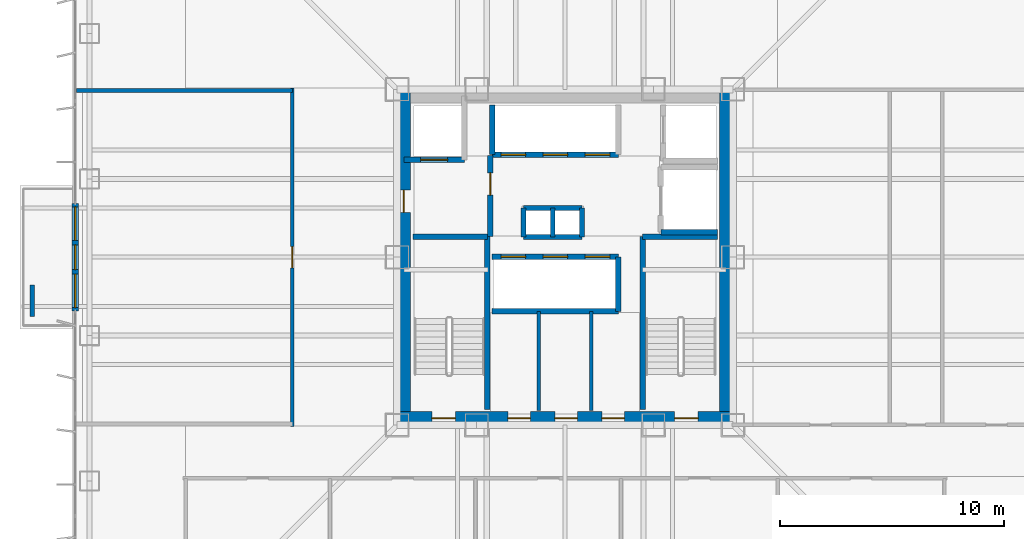
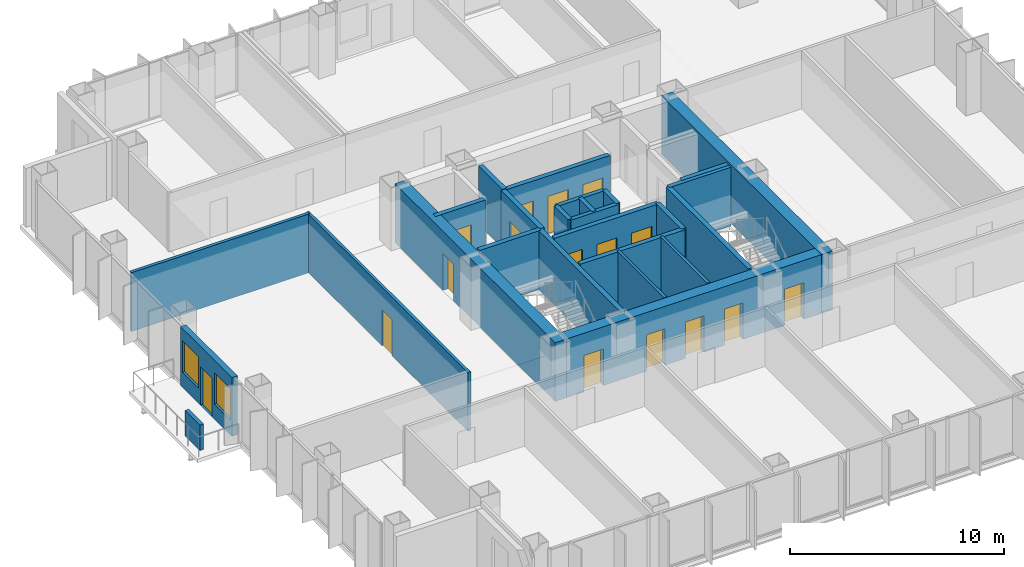
# One storey, part 10 of 15: 26 walls, 16 doors, 2 windows, 18 openings.
"""IFC4 building model written with IfcOpenShell, lengths in metres."""

from ifc_helpers import new_model, si_unit, direction, frame, frame_2d, origin, place, context, subcontext, project, spatial, rectangle, extrude, material, layer, layer_set, type_object, element, fill, save


model = new_model("IFC4")

# Units and contexts
model_context = context("Model", 3, precision=1e-05, world=origin(), true_north=direction((0.0, 1.0)))
body_context = subcontext(model_context, "Body", "Model", "MODEL_VIEW")
ifc_project = project(units=[si_unit("LENGTHUNIT", "METRE"), si_unit("AREAUNIT", "SQUARE_METRE"), si_unit("VOLUMEUNIT", "CUBIC_METRE"), si_unit("PLANEANGLEUNIT", "RADIAN"), si_unit("MASSUNIT", "GRAM", prefix="KILO")], contexts=[model_context])

# Site, building, storey
site_placement = place(None, origin())
site = spatial("IfcSite", under=ifc_project, at=site_placement, CompositionType="ELEMENT")
building_placement = place(site_placement, origin())
building = spatial("IfcBuilding", under=site, at=building_placement, Name="Trevonay Congress Spire", CompositionType="ELEMENT")
storey_placement = place(building_placement, frame((0.0, 0.0, 115.60009765625)))
storey = spatial("IfcBuildingStorey", under=building, at=storey_placement, Name="L29", CompositionType="ELEMENT", Elevation=115.60009765625)

# Wall, openings, doors
ifc_material_1 = material(Name="Concrete C60/75", Category="concrete")
ifc_layer_1 = layer(ifc_material_1, 0.60009765625, Name="Concrete C60/75")
ifc_layer_set_1 = layer_set([ifc_layer_1], Name="Concrete C60/75")
wall_type_1 = type_object("IfcWallType", Name="WAL-CORE-600", PredefinedType="SHEAR", material=ifc_layer_set_1)
wall_1_placement = place(storey_placement, frame((-7.5, -7.199951171875, 0.0), z_axis=(0.0, 0.0, 1.0), x_axis=(1.0, 0.0, 0.0)))
wall_1 = element("IfcWall", 1, at=wall_1_placement, inside=storey, type_object=wall_type_1, Name="L29 South structural core shear wall", PredefinedType="SHEAR", context=body_context, shape_type="SweptSolid", body=[
    extrude(rectangle(XDim=15.0, YDim=0.60009765625, at=frame_2d((7.5, 0.0))), origin(), (0.0, 0.0, 1.0), 3.35986328125),
])
opening_1_placement = place(wall_1_placement, frame((1.550048828125, 0.0, 0.0)))
opening_1 = element("IfcOpeningElement", 2, at=opening_1_placement, cuts=wall_1, Name="Opening D05", PredefinedType="OPENING", context=body_context, shape_type="SweptSolid", body=[
    extrude(rectangle(XDim=1.050048828125, YDim=2.080078125, at=frame_2d((0.52490234375, 1.0400390625))), frame((0.0, 0.31005859375, 0.0), z_axis=(0.0, -1.0, 0.0), x_axis=(1.0, 0.0, 0.0)), (0.0, 0.0, 1.0), 0.6201171875),
])
opening_2_placement = place(wall_1_placement, frame((12.39990234375, 0.0, 0.0)))
opening_2 = element("IfcOpeningElement", 3, at=opening_2_placement, cuts=wall_1, Name="Opening D05", PredefinedType="OPENING", context=body_context, shape_type="SweptSolid", body=[
    extrude(rectangle(XDim=1.050048828125, YDim=2.080078125, at=frame_2d((0.52490234375, 1.0400390625))), frame((0.0, 0.31005859375, 0.0), z_axis=(0.0, -1.0, 0.0), x_axis=(1.0, 0.0, 0.0)), (0.0, 0.0, 1.0), 0.6201171875),
])
opening_3_placement = place(wall_1_placement, frame((4.949951171875, 0.0, 0.0)))
opening_3 = element("IfcOpeningElement", 4, at=opening_3_placement, cuts=wall_1, Name="Opening D06", PredefinedType="OPENING", context=body_context, shape_type="SweptSolid", body=[
    extrude(rectangle(XDim=1.0, YDim=2.080078125, at=frame_2d((0.5, 1.0400390625))), frame((0.0, 0.31005859375, 0.0), z_axis=(0.0, -1.0, 0.0), x_axis=(1.0, 0.0, 0.0)), (0.0, 0.0, 1.0), 0.6201171875),
])
opening_4_placement = place(wall_1_placement, frame((7.050048828125, 0.0, 0.0)))
opening_4 = element("IfcOpeningElement", 5, at=opening_4_placement, cuts=wall_1, Name="Opening D06", PredefinedType="OPENING", context=body_context, shape_type="SweptSolid", body=[
    extrude(rectangle(XDim=1.0, YDim=2.080078125, at=frame_2d((0.5, 1.0400390625))), frame((0.0, 0.31005859375, 0.0), z_axis=(0.0, -1.0, 0.0), x_axis=(1.0, 0.0, 0.0)), (0.0, 0.0, 1.0), 0.6201171875),
])
opening_5_placement = place(wall_1_placement, frame((9.14990234375, 0.0, 0.0)))
opening_5 = element("IfcOpeningElement", 6, at=opening_5_placement, cuts=wall_1, Name="Opening D06", PredefinedType="OPENING", context=body_context, shape_type="SweptSolid", body=[
    extrude(rectangle(XDim=1.0, YDim=2.080078125, at=frame_2d((0.5, 1.0400390625))), frame((0.0, 0.31005859375, 0.0), z_axis=(0.0, -1.0, 0.0), x_axis=(1.0, 0.0, 0.0)), (0.0, 0.0, 1.0), 0.6201171875),
])
ifc_material_2 = material(Name="Steel ASTM A572 Grade 50", Category="steel")
door_type_1 = type_object("IfcDoorType", Name="DOR-FIRE-100", OperationType="NOTDEFINED", PredefinedType="DOOR", material=ifc_material_2)
door_1_placement = place(opening_3_placement, origin())
door_1 = element("IfcDoor", 7, at=door_1_placement, inside=storey, type_object=door_type_1, Name="L29 South Core Room 1 Door", OperationType="SINGLE_SWING_RIGHT", OverallHeight=2.080078125, OverallWidth=1.0, PredefinedType="DOOR", context=body_context, shape_type="SweptSolid", body=[
    extrude(rectangle(XDim=1.0, YDim=2.080078125, at=frame_2d((0.5, 1.0400390625))), frame((0.0, 0.02490234375, 0.0), z_axis=(0.0, -1.0, 0.0), x_axis=(1.0, 0.0, 0.0)), (0.0, 0.0, 1.0), 0.050048828125),
])
fill(opening_3, door_1)
door_2_placement = place(opening_4_placement, origin())
door_2 = element("IfcDoor", 8, at=door_2_placement, inside=storey, type_object=door_type_1, Name="L29 South Core Room 2 Door", OperationType="SINGLE_SWING_LEFT", OverallHeight=2.080078125, OverallWidth=1.0, PredefinedType="DOOR", context=body_context, shape_type="SweptSolid", body=[
    extrude(rectangle(XDim=1.0, YDim=2.080078125, at=frame_2d((0.5, 1.0400390625))), frame((0.0, 0.02490234375, 0.0), z_axis=(0.0, -1.0, 0.0), x_axis=(1.0, 0.0, 0.0)), (0.0, 0.0, 1.0), 0.050048828125),
])
fill(opening_4, door_2)
door_3_placement = place(opening_5_placement, origin())
door_3 = element("IfcDoor", 9, at=door_3_placement, inside=storey, type_object=door_type_1, Name="L29 South Core Room 3 Door", OperationType="SINGLE_SWING_RIGHT", OverallHeight=2.080078125, OverallWidth=1.0, PredefinedType="DOOR", context=body_context, shape_type="SweptSolid", body=[
    extrude(rectangle(XDim=1.0, YDim=2.080078125, at=frame_2d((0.5, 1.0400390625))), frame((0.0, 0.02490234375, 0.0), z_axis=(0.0, -1.0, 0.0), x_axis=(1.0, 0.0, 0.0)), (0.0, 0.0, 1.0), 0.050048828125),
])
fill(opening_5, door_3)
door_type_2 = type_object("IfcDoorType", Name="DOR-STAIR-110", OperationType="NOTDEFINED", PredefinedType="DOOR", material=ifc_material_2)
door_4_placement = place(opening_1_placement, origin())
door_4 = element("IfcDoor", 10, at=door_4_placement, inside=storey, type_object=door_type_2, Name="L29 Protected Stair ST-1 Door", OperationType="SINGLE_SWING_LEFT", OverallHeight=2.080078125, OverallWidth=1.050048828125, PredefinedType="DOOR", context=body_context, shape_type="SweptSolid", body=[
    extrude(rectangle(XDim=1.050048828125, YDim=2.080078125, at=frame_2d((0.52490234375, 1.0400390625))), frame((0.0, 0.02490234375, 0.0), z_axis=(0.0, -1.0, 0.0), x_axis=(1.0, 0.0, 0.0)), (0.0, 0.0, 1.0), 0.050048828125),
])
fill(opening_1, door_4)
door_5_placement = place(opening_2_placement, origin())
door_5 = element("IfcDoor", 11, at=door_5_placement, inside=storey, type_object=door_type_2, Name="L29 Protected Stair ST-2 Door", OperationType="SINGLE_SWING_RIGHT", OverallHeight=2.080078125, OverallWidth=1.050048828125, PredefinedType="DOOR", context=body_context, shape_type="SweptSolid", body=[
    extrude(rectangle(XDim=1.050048828125, YDim=2.080078125, at=frame_2d((0.52490234375, 1.0400390625))), frame((0.0, 0.02490234375, 0.0), z_axis=(0.0, -1.0, 0.0), x_axis=(1.0, 0.0, 0.0)), (0.0, 0.0, 1.0), 0.050048828125),
])
fill(opening_2, door_5)

# Wall, opening, door
wall_2_placement = place(storey_placement, frame((-7.199951171875, -7.5, 0.0), z_axis=(0.0, 0.0, 1.0), x_axis=(0.0, 1.0, 0.0)))
wall_2 = element("IfcWall", 12, at=wall_2_placement, inside=storey, type_object=wall_type_1, Name="L29 West structural core shear wall", PredefinedType="SHEAR", context=body_context, shape_type="SweptSolid", body=[
    extrude(rectangle(XDim=15.0, YDim=0.60009765625, at=frame_2d((7.5, 0.0))), origin(), (0.0, 0.0, 1.0), 3.35986328125),
])
opening_6_placement = place(wall_2_placement, frame((9.5, 0.0, 0.0)))
opening_6 = element("IfcOpeningElement", 13, at=opening_6_placement, cuts=wall_2, Name="Opening D06", PredefinedType="OPENING", context=body_context, shape_type="SweptSolid", body=[
    extrude(rectangle(XDim=1.0, YDim=2.080078125, at=frame_2d((0.5, 1.0400390625))), frame((0.0, 0.31005859375, 0.0), z_axis=(0.0, -1.0, 0.0), x_axis=(1.0, 0.0, 0.0)), (0.0, 0.0, 1.0), 0.6201171875),
])
door_6_placement = place(opening_6_placement, origin())
door_6 = element("IfcDoor", 14, at=door_6_placement, inside=storey, type_object=door_type_1, Name="L29 Firefighting Lift Lobby West Corridor Door", OperationType="SINGLE_SWING_LEFT", OverallHeight=2.080078125, OverallWidth=1.0, PredefinedType="DOOR", context=body_context, shape_type="SweptSolid", body=[
    extrude(rectangle(XDim=1.0, YDim=2.080078125, at=frame_2d((0.5, 1.0400390625))), frame((0.0, 0.02490234375, 0.0), z_axis=(0.0, -1.0, 0.0), x_axis=(1.0, 0.0, 0.0)), (0.0, 0.0, 1.0), 0.050048828125),
])
fill(opening_6, door_6)

# Wall
wall_3_placement = place(storey_placement, frame((7.199951171875, -7.5, 0.0), z_axis=(0.0, 0.0, 1.0), x_axis=(0.0, 1.0, 0.0)))
element("IfcWall", 15, at=wall_3_placement, inside=storey, type_object=wall_type_1, Name="L29 East structural core shear wall", PredefinedType="SHEAR", context=body_context, shape_type="SweptSolid", body=[
    extrude(rectangle(XDim=15.0, YDim=0.60009765625, at=frame_2d((7.5, 0.0))), origin(), (0.0, 0.0, 1.0), 3.35986328125),
])

# Wall, opening, door
ifc_material_3 = material(Name="Concrete C40/50", Category="concrete")
ifc_layer_2 = layer(ifc_material_3, 0.14990234375, Name="Concrete C40/50")
ifc_layer_set_2 = layer_set([ifc_layer_2], Name="Concrete C40/50")
wall_type_2 = type_object("IfcWallType", Name="WAL-CORR-150", PredefinedType="PARTITIONING", material=ifc_layer_set_2)
wall_4_placement = place(storey_placement, frame((-12.179931640625, -7.570068359375, 0.0), z_axis=(0.0, 0.0, 1.0), x_axis=(0.0, 1.0, 0.0)))
wall_4 = element("IfcWall", 16, at=wall_4_placement, inside=storey, type_object=wall_type_2, Name="L29 interior wall WP-L29W-COR", PredefinedType="PARTITIONING", context=body_context, shape_type="SweptSolid", body=[
    extrude(rectangle(XDim=15.14013671875, YDim=0.14990234375, at=frame_2d((7.570068359375, 0.0))), origin(), (0.0, 0.0, 1.0), 3.35986328125),
])
opening_7_placement = place(wall_4_placement, frame((7.094970703125, 0.0, 0.0)))
opening_7 = element("IfcOpeningElement", 17, at=opening_7_placement, cuts=wall_4, Name="Opening D07", PredefinedType="OPENING", context=body_context, shape_type="SweptSolid", body=[
    extrude(rectangle(XDim=0.949951171875, YDim=2.06005859375, at=frame_2d((0.47509765625, 1.030029296875))), frame((0.0, 0.0849609375, 0.0), z_axis=(0.0, -1.0, 0.0), x_axis=(1.0, 0.0, 0.0)), (0.0, 0.0, 1.0), 0.169921875),
])
ifc_material_4 = material(Name="Pale Anodised Aluminium EN AW-6063-T6", Category="aluminium")
door_type_3 = type_object("IfcDoorType", Name="DOR-OFFICE-95", OperationType="NOTDEFINED", PredefinedType="DOOR", material=ifc_material_4)
door_7_placement = place(opening_7_placement, origin())
door_7 = element("IfcDoor", 18, at=door_7_placement, inside=storey, type_object=door_type_3, Name="L29 West Open-Plan Research Office Door", OperationType="SINGLE_SWING_LEFT", OverallHeight=2.06005859375, OverallWidth=0.949951171875, PredefinedType="DOOR", context=body_context, shape_type="SweptSolid", body=[
    extrude(rectangle(XDim=0.949951171875, YDim=2.06005859375, at=frame_2d((0.47509765625, 1.030029296875))), frame((0.0, 0.02490234375, 0.0), z_axis=(0.0, -1.0, 0.0), x_axis=(1.0, 0.0, 0.0)), (0.0, 0.0, 1.0), 0.050048828125),
])
fill(opening_7, door_7)

# Wall, openings, door, windows
ifc_material_5 = material(Name="Precast concrete C40/50", Category="concrete")
ifc_layer_3 = layer(ifc_material_5, 0.300048828125, Name="Precast concrete C40/50")
ifc_layer_set_3 = layer_set([ifc_layer_3], Name="Precast concrete C40/50")
wall_type_3 = type_object("IfcWallType", Name="WAL-EXT-PRECAST-300", PredefinedType="SOLIDWALL", material=ifc_layer_set_3)
wall_5_placement = place(storey_placement, frame((-21.8798828125, -2.39990234375, 0.0), z_axis=(0.0, 0.0, 1.0), x_axis=(0.0, 1.0, 0.0)))
wall_5 = element("IfcWall", 19, at=wall_5_placement, inside=storey, type_object=wall_type_3, Name="L29 W glazed balcony portal exterior wall", PredefinedType="SOLIDWALL", context=body_context, shape_type="SweptSolid", body=[
    extrude(rectangle(XDim=4.7998046875, YDim=0.300048828125, at=frame_2d((2.39990234375, 0.0))), origin(), (0.0, 0.0, 1.0), 3.35986328125),
])
opening_8_placement = place(wall_5_placement, frame((1.85009765625, 0.0, 0.0)))
opening_8 = element("IfcOpeningElement", 20, at=opening_8_placement, cuts=wall_5, Name="Opening D03", PredefinedType="OPENING", context=body_context, shape_type="SweptSolid", body=[
    extrude(rectangle(XDim=1.10009765625, YDim=2.199951171875, at=frame_2d((0.550048828125, 1.10009765625))), frame((0.0, 0.16015625, 0.0), z_axis=(0.0, -1.0, 0.0), x_axis=(1.0, 0.0, 0.0)), (0.0, 0.0, 1.0), 0.320068359375),
])
opening_9_placement = place(wall_5_placement, frame((0.14990234375, 0.0, 0.85009765625)))
opening_9 = element("IfcOpeningElement", 21, at=opening_9_placement, cuts=wall_5, Name="Opening WN03", PredefinedType="OPENING", context=body_context, shape_type="SweptSolid", body=[
    extrude(rectangle(XDim=1.5, YDim=1.800048828125, at=frame_2d((0.75, 0.89990234375))), frame((0.0, 0.16015625, 0.0), z_axis=(0.0, -1.0, 0.0), x_axis=(1.0, 0.0, 0.0)), (0.0, 0.0, 1.0), 0.320068359375),
])
opening_10_placement = place(wall_5_placement, frame((3.14990234375, 0.0, 0.85009765625)))
opening_10 = element("IfcOpeningElement", 22, at=opening_10_placement, cuts=wall_5, Name="Opening WN03", PredefinedType="OPENING", context=body_context, shape_type="SweptSolid", body=[
    extrude(rectangle(XDim=1.5, YDim=1.800048828125, at=frame_2d((0.75, 0.89990234375))), frame((0.0, 0.16015625, 0.0), z_axis=(0.0, -1.0, 0.0), x_axis=(1.0, 0.0, 0.0)), (0.0, 0.0, 1.0), 0.320068359375),
])
door_type_4 = type_object("IfcDoorType", Name="DOR-EXT-BAL-110", OperationType="NOTDEFINED", PredefinedType="DOOR", material=ifc_material_4)
door_8_placement = place(opening_8_placement, origin())
door_8 = element("IfcDoor", 23, at=door_8_placement, inside=storey, type_object=door_type_4, Name="L29 W glazed outdoor terrace and balcony door", OperationType="SINGLE_SWING_LEFT", OverallHeight=2.199951171875, OverallWidth=1.10009765625, PredefinedType="DOOR", context=body_context, shape_type="SweptSolid", body=[
    extrude(rectangle(XDim=1.10009765625, YDim=2.199951171875, at=frame_2d((0.550048828125, 1.10009765625))), frame((0.0, 0.02490234375, 0.0), z_axis=(0.0, -1.0, 0.0), x_axis=(1.0, 0.0, 0.0)), (0.0, 0.0, 1.0), 0.050048828125),
])
fill(opening_8, door_8)
ifc_material_6 = material(Name="Insulated Low-E Vision Glass IGU", Category="glass")
window_type = type_object("IfcWindowType", Name="WIN-NOTCH-150X180", PartitioningType="SINGLE_PANEL", PredefinedType="WINDOW", material=ifc_material_6)
window_1_placement = place(opening_9_placement, origin())
window_1 = element("IfcWindow", 24, at=window_1_placement, inside=storey, type_object=window_type, Name="L29 W balcony sidelight window L", OverallHeight=1.800048828125, OverallWidth=1.5, PartitioningType="SINGLE_PANEL", PredefinedType="WINDOW", context=body_context, shape_type="SweptSolid", body=[
    extrude(rectangle(XDim=1.5, YDim=1.800048828125, at=frame_2d((0.75, 0.89990234375))), frame((0.0, 0.030029296875, 0.0), z_axis=(0.0, -1.0, 0.0), x_axis=(1.0, 0.0, 0.0)), (0.0, 0.0, 1.0), 0.06005859375),
])
fill(opening_9, window_1)
window_2_placement = place(opening_10_placement, origin())
window_2 = element("IfcWindow", 25, at=window_2_placement, inside=storey, type_object=window_type, Name="L29 W balcony sidelight window R", OverallHeight=1.800048828125, OverallWidth=1.5, PartitioningType="SINGLE_PANEL", PredefinedType="WINDOW", context=body_context, shape_type="SweptSolid", body=[
    extrude(rectangle(XDim=1.5, YDim=1.800048828125, at=frame_2d((0.75, 0.89990234375))), frame((0.0, 0.030029296875, 0.0), z_axis=(0.0, -1.0, 0.0), x_axis=(1.0, 0.0, 0.0)), (0.0, 0.0, 1.0), 0.06005859375),
])
fill(opening_10, window_2)

# Walls
ifc_layer_4 = layer(ifc_material_3, 0.14990234375, Name="Concrete C40/50")
ifc_layer_set_4 = layer_set([ifc_layer_4], Name="Concrete C40/50")
wall_type_4 = type_object("IfcWallType", Name="WAL-PART-150", PredefinedType="PARTITIONING", material=ifc_layer_set_4)
for number, where, z_axis, x_axis, name in (
    (26, (-1.169921875, -6.85009765625, 0.0), (0.0, 0.0, 1.0), (0.0, 1.0, 0.0), "L29 interior wall CW-F2A-L29"),
    (27, (1.169921875, -6.85009765625, 0.0), (0.0, 0.0, 1.0), (0.0, 1.0, 0.0), "L29 interior wall CW-F2B-L29"),
):
    element("IfcWall", number, at=place(storey_placement, frame(where, z_axis=z_axis, x_axis=x_axis)), inside=storey, type_object=wall_type_4, Name=name, PredefinedType="PARTITIONING", context=body_context, shape_type="SweptSolid", body=[
        extrude(rectangle(XDim=4.420166015625, YDim=0.14990234375, at=frame_2d((2.2099609375, 0.0))), origin(), (0.0, 0.0, 1.0), 3.35986328125),
    ])
ifc_layer_5 = layer(ifc_material_3, 0.219970703125, Name="Concrete C40/50")
ifc_layer_set_5 = layer_set([ifc_layer_5], Name="Concrete C40/50")
wall_type_5 = type_object("IfcWallType", Name="WAL-SHAFT-220", PredefinedType="PARTITIONING", material=ifc_layer_set_5)
for number, where, z_axis, x_axis, name in (
    (28, (-1.85009765625, 2.199951171875, 0.0), (0.0, 0.0, 1.0), (1.0, 0.0, 0.0), "L29 interior shaft wall WSH-L29-RSR-N"),
    (29, (-1.85009765625, 0.89990234375, 0.0), (0.0, 0.0, 1.0), (1.0, 0.0, 0.0), "L29 interior shaft wall WSH-L29-RSR-S"),
):
    element("IfcWall", number, at=place(storey_placement, frame(where, z_axis=z_axis, x_axis=x_axis)), inside=storey, type_object=wall_type_5, Name=name, PredefinedType="PARTITIONING", context=body_context, shape_type="SweptSolid", body=[
        extrude(rectangle(XDim=2.60009765625, YDim=0.219970703125, at=frame_2d((1.300048828125, 0.0))), origin(), (0.0, 0.0, 1.0), 3.35986328125),
    ])
for number, where, z_axis, x_axis, name in (
    (30, (-0.550048828125, 0.89990234375, 0.0), (0.0, 0.0, 1.0), (0.0, 1.0, 0.0), "L29 interior shaft wall WSH-L29-RSR-M"),
    (31, (0.75, 0.89990234375, 0.0), (0.0, 0.0, 1.0), (0.0, 1.0, 0.0), "L29 interior shaft wall WSH-L29-RSR-E"),
    (32, (-1.85009765625, 0.89990234375, 0.0), (0.0, 0.0, 1.0), (0.0, 1.0, 0.0), "L29 interior shaft wall WSH-L29-RSR-W"),
):
    element("IfcWall", number, at=place(storey_placement, frame(where, z_axis=z_axis, x_axis=x_axis)), inside=storey, type_object=wall_type_5, Name=name, PredefinedType="PARTITIONING", context=body_context, shape_type="SweptSolid", body=[
        extrude(rectangle(XDim=1.300048828125, YDim=0.219970703125, at=frame_2d((0.64990234375, 0.0))), origin(), (0.0, 0.0, 1.0), 3.35986328125),
    ])

# Wall, openings, doors
ifc_layer_6 = layer(ifc_material_3, 0.25, Name="Concrete C40/50")
ifc_layer_set_6 = layer_set([ifc_layer_6], Name="Concrete C40/50")
wall_type_6 = type_object("IfcWallType", Name="WAL-SHAFT-250", PredefinedType="SHEAR", material=ifc_layer_set_6)
wall_6_placement = place(storey_placement, frame((-3.260009765625, 0.02001953125, 0.0), z_axis=(0.0, 0.0, 1.0), x_axis=(1.0, 0.0, 0.0)))
wall_6 = element("IfcWall", 33, at=wall_6_placement, inside=storey, type_object=wall_type_6, Name="L29 interior shaft wall WSH-L29-B2-N", PredefinedType="SHEAR", context=body_context, shape_type="SweptSolid", body=[
    extrude(rectangle(XDim=5.639892578125, YDim=0.25, at=frame_2d((2.81982421875, 0.0))), origin(), (0.0, 0.0, 1.0), 3.35986328125),
])
opening_11_placement = place(wall_6_placement, frame((0.39990234375, 0.0, 0.0)))
opening_11 = element("IfcOpeningElement", 34, at=opening_11_placement, cuts=wall_6, Name="Opening LD02", PredefinedType="OPENING", context=body_context, shape_type="SweptSolid", body=[
    extrude(rectangle(XDim=1.10009765625, YDim=2.199951171875, at=frame_2d((0.550048828125, 1.10009765625))), frame((0.0, 0.135009765625, 0.0), z_axis=(0.0, -1.0, 0.0), x_axis=(1.0, 0.0, 0.0)), (0.0, 0.0, 1.0), 0.27001953125),
])
opening_12_placement = place(wall_6_placement, frame((2.280029296875, 0.0, 0.0)))
opening_12 = element("IfcOpeningElement", 35, at=opening_12_placement, cuts=wall_6, Name="Opening LD02", PredefinedType="OPENING", context=body_context, shape_type="SweptSolid", body=[
    extrude(rectangle(XDim=1.10009765625, YDim=2.199951171875, at=frame_2d((0.550048828125, 1.10009765625))), frame((0.0, 0.135009765625, 0.0), z_axis=(0.0, -1.0, 0.0), x_axis=(1.0, 0.0, 0.0)), (0.0, 0.0, 1.0), 0.27001953125),
])
opening_13_placement = place(wall_6_placement, frame((4.159912109375, 0.0, 0.0)))
opening_13 = element("IfcOpeningElement", 36, at=opening_13_placement, cuts=wall_6, Name="Opening LD02", PredefinedType="OPENING", context=body_context, shape_type="SweptSolid", body=[
    extrude(rectangle(XDim=1.10009765625, YDim=2.199951171875, at=frame_2d((0.550048828125, 1.10009765625))), frame((0.0, 0.135009765625, 0.0), z_axis=(0.0, -1.0, 0.0), x_axis=(1.0, 0.0, 0.0)), (0.0, 0.0, 1.0), 0.27001953125),
])
door_type_5 = type_object("IfcDoorType", Name="DOR-LIFT-LD02", OperationType="DOUBLE_DOOR_SLIDING", PredefinedType="DOOR", material=ifc_material_4)
door_9_placement = place(opening_11_placement, origin())
door_9 = element("IfcDoor", 37, at=door_9_placement, inside=storey, type_object=door_type_5, Name="L29 Passenger lift PL-04 landing door", OperationType="DOUBLE_DOOR_SLIDING", OverallHeight=2.199951171875, OverallWidth=1.10009765625, PredefinedType="DOOR", context=body_context, shape_type="SweptSolid", body=[
    extrude(rectangle(XDim=1.10009765625, YDim=2.199951171875, at=frame_2d((0.550048828125, 1.10009765625))), frame((0.0, 0.02490234375, 0.0), z_axis=(0.0, -1.0, 0.0), x_axis=(1.0, 0.0, 0.0)), (0.0, 0.0, 1.0), 0.050048828125),
])
fill(opening_11, door_9)
door_10_placement = place(opening_12_placement, origin())
door_10 = element("IfcDoor", 38, at=door_10_placement, inside=storey, type_object=door_type_5, Name="L29 Passenger lift PL-05 landing door", OperationType="DOUBLE_DOOR_SLIDING", OverallHeight=2.199951171875, OverallWidth=1.10009765625, PredefinedType="DOOR", context=body_context, shape_type="SweptSolid", body=[
    extrude(rectangle(XDim=1.10009765625, YDim=2.199951171875, at=frame_2d((0.550048828125, 1.10009765625))), frame((0.0, 0.02490234375, 0.0), z_axis=(0.0, -1.0, 0.0), x_axis=(1.0, 0.0, 0.0)), (0.0, 0.0, 1.0), 0.050048828125),
])
fill(opening_12, door_10)
door_11_placement = place(opening_13_placement, origin())
door_11 = element("IfcDoor", 39, at=door_11_placement, inside=storey, type_object=door_type_5, Name="L29 Passenger lift PL-06 landing door", OperationType="DOUBLE_DOOR_SLIDING", OverallHeight=2.199951171875, OverallWidth=1.10009765625, PredefinedType="DOOR", context=body_context, shape_type="SweptSolid", body=[
    extrude(rectangle(XDim=1.10009765625, YDim=2.199951171875, at=frame_2d((0.550048828125, 1.10009765625))), frame((0.0, 0.02490234375, 0.0), z_axis=(0.0, -1.0, 0.0), x_axis=(1.0, 0.0, 0.0)), (0.0, 0.0, 1.0), 0.050048828125),
])
fill(opening_13, door_11)

# Walls
wall_7_placement = place(storey_placement, frame((-3.260009765625, -2.419921875, 0.0), z_axis=(0.0, 0.0, 1.0), x_axis=(1.0, 0.0, 0.0)))
element("IfcWall", 40, at=wall_7_placement, inside=storey, type_object=wall_type_6, Name="L29 interior shaft wall WSH-L29-B2-S", PredefinedType="SHEAR", context=body_context, shape_type="SweptSolid", body=[
    extrude(rectangle(XDim=5.639892578125, YDim=0.25, at=frame_2d((2.81982421875, 0.0))), origin(), (0.0, 0.0, 1.0), 3.35986328125),
])
wall_8_placement = place(storey_placement, frame((2.3798828125, -2.419921875, 0.0), z_axis=(0.0, 0.0, 1.0), x_axis=(0.0, 1.0, 0.0)))
element("IfcWall", 41, at=wall_8_placement, inside=storey, type_object=wall_type_6, Name="L29 interior shaft wall WSH-L29-B2-E", PredefinedType="SHEAR", context=body_context, shape_type="SweptSolid", body=[
    extrude(rectangle(XDim=2.43994140625, YDim=0.25, at=frame_2d((1.219970703125, 0.0))), origin(), (0.0, 0.0, 1.0), 3.35986328125),
])

# Wall, openings, doors
wall_9_placement = place(storey_placement, frame((-3.260009765625, 4.580078125, 0.0), z_axis=(0.0, 0.0, 1.0), x_axis=(1.0, 0.0, 0.0)))
wall_9 = element("IfcWall", 42, at=wall_9_placement, inside=storey, type_object=wall_type_6, Name="L29 interior shaft wall WSH-L29-B3-S", PredefinedType="SHEAR", context=body_context, shape_type="SweptSolid", body=[
    extrude(rectangle(XDim=5.639892578125, YDim=0.25, at=frame_2d((2.81982421875, 0.0))), origin(), (0.0, 0.0, 1.0), 3.35986328125),
])
opening_14_placement = place(wall_9_placement, frame((0.39990234375, 0.0, 0.0)))
opening_14 = element("IfcOpeningElement", 43, at=opening_14_placement, cuts=wall_9, Name="Opening LD03", PredefinedType="OPENING", context=body_context, shape_type="SweptSolid", body=[
    extrude(rectangle(XDim=1.10009765625, YDim=2.199951171875, at=frame_2d((0.550048828125, 1.10009765625))), frame((0.0, 0.135009765625, 0.0), z_axis=(0.0, -1.0, 0.0), x_axis=(1.0, 0.0, 0.0)), (0.0, 0.0, 1.0), 0.27001953125),
])
opening_15_placement = place(wall_9_placement, frame((2.280029296875, 0.0, 0.0)))
opening_15 = element("IfcOpeningElement", 44, at=opening_15_placement, cuts=wall_9, Name="Opening LD03", PredefinedType="OPENING", context=body_context, shape_type="SweptSolid", body=[
    extrude(rectangle(XDim=1.10009765625, YDim=2.199951171875, at=frame_2d((0.550048828125, 1.10009765625))), frame((0.0, 0.135009765625, 0.0), z_axis=(0.0, -1.0, 0.0), x_axis=(1.0, 0.0, 0.0)), (0.0, 0.0, 1.0), 0.27001953125),
])
opening_16_placement = place(wall_9_placement, frame((4.159912109375, 0.0, 0.0)))
opening_16 = element("IfcOpeningElement", 45, at=opening_16_placement, cuts=wall_9, Name="Opening LD03", PredefinedType="OPENING", context=body_context, shape_type="SweptSolid", body=[
    extrude(rectangle(XDim=1.10009765625, YDim=2.199951171875, at=frame_2d((0.550048828125, 1.10009765625))), frame((0.0, 0.135009765625, 0.0), z_axis=(0.0, -1.0, 0.0), x_axis=(1.0, 0.0, 0.0)), (0.0, 0.0, 1.0), 0.27001953125),
])
door_type_6 = type_object("IfcDoorType", Name="DOR-LIFT-LD03", OperationType="DOUBLE_DOOR_SLIDING", PredefinedType="DOOR", material=ifc_material_4)
door_12_placement = place(opening_14_placement, origin())
door_12 = element("IfcDoor", 46, at=door_12_placement, inside=storey, type_object=door_type_6, Name="L29 Passenger lift PL-07 landing door", OperationType="DOUBLE_DOOR_SLIDING", OverallHeight=2.199951171875, OverallWidth=1.10009765625, PredefinedType="DOOR", context=body_context, shape_type="SweptSolid", body=[
    extrude(rectangle(XDim=1.10009765625, YDim=2.199951171875, at=frame_2d((0.550048828125, 1.10009765625))), frame((0.0, 0.02490234375, 0.0), z_axis=(0.0, -1.0, 0.0), x_axis=(1.0, 0.0, 0.0)), (0.0, 0.0, 1.0), 0.050048828125),
])
fill(opening_14, door_12)
door_13_placement = place(opening_15_placement, origin())
door_13 = element("IfcDoor", 47, at=door_13_placement, inside=storey, type_object=door_type_6, Name="L29 Passenger lift PL-08 landing door", OperationType="DOUBLE_DOOR_SLIDING", OverallHeight=2.199951171875, OverallWidth=1.10009765625, PredefinedType="DOOR", context=body_context, shape_type="SweptSolid", body=[
    extrude(rectangle(XDim=1.10009765625, YDim=2.199951171875, at=frame_2d((0.550048828125, 1.10009765625))), frame((0.0, 0.02490234375, 0.0), z_axis=(0.0, -1.0, 0.0), x_axis=(1.0, 0.0, 0.0)), (0.0, 0.0, 1.0), 0.050048828125),
])
fill(opening_15, door_13)
door_14_placement = place(opening_16_placement, origin())
door_14 = element("IfcDoor", 48, at=door_14_placement, inside=storey, type_object=door_type_6, Name="L29 Passenger lift PL-09 landing door", OperationType="DOUBLE_DOOR_SLIDING", OverallHeight=2.199951171875, OverallWidth=1.10009765625, PredefinedType="DOOR", context=body_context, shape_type="SweptSolid", body=[
    extrude(rectangle(XDim=1.10009765625, YDim=2.199951171875, at=frame_2d((0.550048828125, 1.10009765625))), frame((0.0, 0.02490234375, 0.0), z_axis=(0.0, -1.0, 0.0), x_axis=(1.0, 0.0, 0.0)), (0.0, 0.0, 1.0), 0.050048828125),
])
fill(opening_16, door_14)

# Wall
wall_10_placement = place(storey_placement, frame((-3.260009765625, 4.580078125, 0.0), z_axis=(0.0, 0.0, 1.0), x_axis=(0.0, 1.0, 0.0)))
element("IfcWall", 49, at=wall_10_placement, inside=storey, type_object=wall_type_6, Name="L29 interior shaft wall WSH-L29-B3-W", PredefinedType="SHEAR", context=body_context, shape_type="SweptSolid", body=[
    extrude(rectangle(XDim=2.219970703125, YDim=0.25, at=frame_2d((1.10986328125, 0.0))), origin(), (0.0, 0.0, 1.0), 3.35986328125),
])

# Wall, opening, door
wall_11_placement = place(storey_placement, frame((-7.199951171875, 4.35009765625, 0.0), z_axis=(0.0, 0.0, 1.0), x_axis=(1.0, 0.0, 0.0)))
wall_11 = element("IfcWall", 50, at=wall_11_placement, inside=storey, type_object=wall_type_6, Name="L29 interior shaft wall WSH-L29-FF1-S", PredefinedType="SHEAR", context=body_context, shape_type="SweptSolid", body=[
    extrude(rectangle(XDim=2.699951171875, YDim=0.25, at=frame_2d((1.35009765625, 0.0))), origin(), (0.0, 0.0, 1.0), 3.35986328125),
])
opening_17_placement = place(wall_11_placement, frame((0.75, 0.0, 0.0)))
opening_17 = element("IfcOpeningElement", 51, at=opening_17_placement, cuts=wall_11, Name="Opening LD04", PredefinedType="OPENING", context=body_context, shape_type="SweptSolid", body=[
    extrude(rectangle(XDim=1.199951171875, YDim=2.199951171875, at=frame_2d((0.60009765625, 1.10009765625))), frame((0.0, 0.135009765625, 0.0), z_axis=(0.0, -1.0, 0.0), x_axis=(1.0, 0.0, 0.0)), (0.0, 0.0, 1.0), 0.27001953125),
])
door_type_7 = type_object("IfcDoorType", Name="DOR-LIFT-LD04", OperationType="DOUBLE_DOOR_SLIDING", PredefinedType="DOOR", material=ifc_material_2)
door_15_placement = place(opening_17_placement, origin())
door_15 = element("IfcDoor", 52, at=door_15_placement, inside=storey, type_object=door_type_7, Name="L29 Firefighting lift FFL-01 landing door", OperationType="DOUBLE_DOOR_SLIDING", OverallHeight=2.199951171875, OverallWidth=1.199951171875, PredefinedType="DOOR", context=body_context, shape_type="SweptSolid", body=[
    extrude(rectangle(XDim=1.199951171875, YDim=2.199951171875, at=frame_2d((0.60009765625, 1.10009765625))), frame((0.0, 0.02490234375, 0.0), z_axis=(0.0, -1.0, 0.0), x_axis=(1.0, 0.0, 0.0)), (0.0, 0.0, 1.0), 0.050048828125),
])
fill(opening_17, door_15)

# Wall
wall_12_placement = place(storey_placement, frame((4.280029296875, 1.1201171875, 0.0), z_axis=(0.0, 0.0, 1.0), x_axis=(1.0, 0.0, 0.0)))
element("IfcWall", 53, at=wall_12_placement, inside=storey, type_object=wall_type_6, Name="L29 interior shaft wall WSH-L29-SV-S", PredefinedType="SHEAR", context=body_context, shape_type="SweptSolid", body=[
    extrude(rectangle(XDim=2.52001953125, YDim=0.25, at=frame_2d((1.260009765625, 0.0))), origin(), (0.0, 0.0, 1.0), 3.35986328125),
])

# Wall, opening, door
wall_13_placement = place(storey_placement, frame((-3.35009765625, 0.919921875, 0.0), z_axis=(0.0, 0.0, 1.0), x_axis=(0.0, 1.0, 0.0)))
wall_13 = element("IfcWall", 54, at=wall_13_placement, inside=storey, type_object=wall_type_6, Name="L29 interior wall CW-FFLW-E-L29", PredefinedType="SHEAR", context=body_context, shape_type="SweptSolid", body=[
    extrude(rectangle(XDim=3.6201171875, YDim=0.25, at=frame_2d((1.81005859375, 0.0))), origin(), (0.0, 0.0, 1.0), 3.35986328125),
])
opening_18_placement = place(wall_13_placement, frame((1.85009765625, 0.0, 0.0)))
opening_18 = element("IfcOpeningElement", 55, at=opening_18_placement, cuts=wall_13, Name="Opening D06", PredefinedType="OPENING", context=body_context, shape_type="SweptSolid", body=[
    extrude(rectangle(XDim=1.0, YDim=2.080078125, at=frame_2d((0.5, 1.0400390625))), frame((0.0, 0.135009765625, 0.0), z_axis=(0.0, -1.0, 0.0), x_axis=(1.0, 0.0, 0.0)), (0.0, 0.0, 1.0), 0.27001953125),
])
door_16_placement = place(opening_18_placement, origin())
door_16 = element("IfcDoor", 56, at=door_16_placement, inside=storey, type_object=door_type_1, Name="L29 Firefighting Core Lobby Transfer Door", OperationType="SINGLE_SWING_LEFT", OverallHeight=2.080078125, OverallWidth=1.0, PredefinedType="DOOR", context=body_context, shape_type="SweptSolid", body=[
    extrude(rectangle(XDim=1.0, YDim=2.080078125, at=frame_2d((0.5, 1.0400390625))), frame((0.0, 0.02490234375, 0.0), z_axis=(0.0, -1.0, 0.0), x_axis=(1.0, 0.0, 0.0)), (0.0, 0.0, 1.0), 0.050048828125),
])
fill(opening_18, door_16)

# Walls
ifc_layer_7 = layer(ifc_material_3, 0.25, Name="Concrete C40/50")
ifc_layer_set_7 = layer_set([ifc_layer_7], Name="Concrete C40/50")
wall_type_7 = type_object("IfcWallType", Name="WAL-SHAFT-LB-250", PredefinedType="SHEAR", material=ifc_layer_set_7)
wall_14_placement = place(storey_placement, frame((-3.469970703125, -6.800048828125, 0.0), z_axis=(0.0, 0.0, 1.0), x_axis=(0.0, 1.0, 0.0)))
element("IfcWall", 57, at=wall_14_placement, inside=storey, type_object=wall_type_7, Name="L29 interior shaft wall WSH-L29-ST1-E", PredefinedType="SHEAR", context=body_context, shape_type="SweptSolid", body=[
    extrude(rectangle(XDim=7.719970703125, YDim=0.25, at=frame_2d((3.85986328125, 0.0))), origin(), (0.0, 0.0, 1.0), 3.35986328125),
])
wall_15_placement = place(storey_placement, frame((-6.800048828125, 0.919921875, 0.0), z_axis=(0.0, 0.0, 1.0), x_axis=(1.0, 0.0, 0.0)))
element("IfcWall", 58, at=wall_15_placement, inside=storey, type_object=wall_type_7, Name="L29 interior shaft wall WSH-L29-ST1-N", PredefinedType="SHEAR", context=body_context, shape_type="SweptSolid", body=[
    extrude(rectangle(XDim=3.330078125, YDim=0.25, at=frame_2d((1.6650390625, 0.0))), origin(), (0.0, 0.0, 1.0), 3.35986328125),
])
wall_16_placement = place(storey_placement, frame((3.469970703125, -6.800048828125, 0.0), z_axis=(0.0, 0.0, 1.0), x_axis=(0.0, 1.0, 0.0)))
element("IfcWall", 59, at=wall_16_placement, inside=storey, type_object=wall_type_7, Name="L29 interior shaft wall WSH-L29-ST2-W", PredefinedType="SHEAR", context=body_context, shape_type="SweptSolid", body=[
    extrude(rectangle(XDim=7.719970703125, YDim=0.25, at=frame_2d((3.85986328125, 0.0))), origin(), (0.0, 0.0, 1.0), 3.35986328125),
])
wall_17_placement = place(storey_placement, frame((3.469970703125, 0.919921875, 0.0), z_axis=(0.0, 0.0, 1.0), x_axis=(1.0, 0.0, 0.0)))
element("IfcWall", 60, at=wall_17_placement, inside=storey, type_object=wall_type_7, Name="L29 interior shaft wall WSH-L29-ST2-N", PredefinedType="SHEAR", context=body_context, shape_type="SweptSolid", body=[
    extrude(rectangle(XDim=3.330078125, YDim=0.25, at=frame_2d((1.6650390625, 0.0))), origin(), (0.0, 0.0, 1.0), 3.35986328125),
])
ifc_layer_8 = layer(ifc_material_5, 0.199951171875, Name="Precast concrete C40/50")
ifc_layer_set_8 = layer_set([ifc_layer_8], Name="Precast concrete C40/50")
wall_type_8 = type_object("IfcWallType", Name="WAL-TREE-PLANTER-200", PredefinedType="PARAPET", material=ifc_layer_set_8)
wall_18_placement = place(storey_placement, frame((-23.800048828125, -2.64990234375, 0.0), z_axis=(0.0, 0.0, 1.0), x_axis=(0.0, 1.0, 0.0)))
element("IfcWall", 61, at=wall_18_placement, inside=storey, type_object=wall_type_8, Name="L29 W cantilevered balcony tree planter box", PredefinedType="PARAPET", context=body_context, shape_type="SweptSolid", body=[
    extrude(rectangle(XDim=1.39990234375, YDim=0.199951171875, at=frame_2d((0.699951171875, 0.0))), origin(), (0.0, 0.0, 1.0), 1.449951171875),
])
ifc_layer_9 = layer(ifc_material_3, 0.1650390625, Name="Concrete C40/50")
ifc_layer_set_9 = layer_set([ifc_layer_9], Name="Concrete C40/50")
wall_type_9 = type_object("IfcWallType", Name="WAL-WET-165", PredefinedType="PLUMBINGWALL", material=ifc_layer_set_9)
wall_19_placement = place(storey_placement, frame((-21.820068359375, 7.449951171875, 0.0), z_axis=(0.0, 0.0, 1.0), x_axis=(1.0, 0.0, 0.0)))
element("IfcWall", 62, at=wall_19_placement, inside=storey, type_object=wall_type_9, Name="L29 interior wall WP-L29W-DIV2", PredefinedType="PLUMBINGWALL", context=body_context, shape_type="SweptSolid", body=[
    extrude(rectangle(XDim=9.64013671875, YDim=0.1650390625, at=frame_2d((4.820068359375, 0.0))), origin(), (0.0, 0.0, 1.0), 3.35986328125),
])

save(model, "model.ifc")
